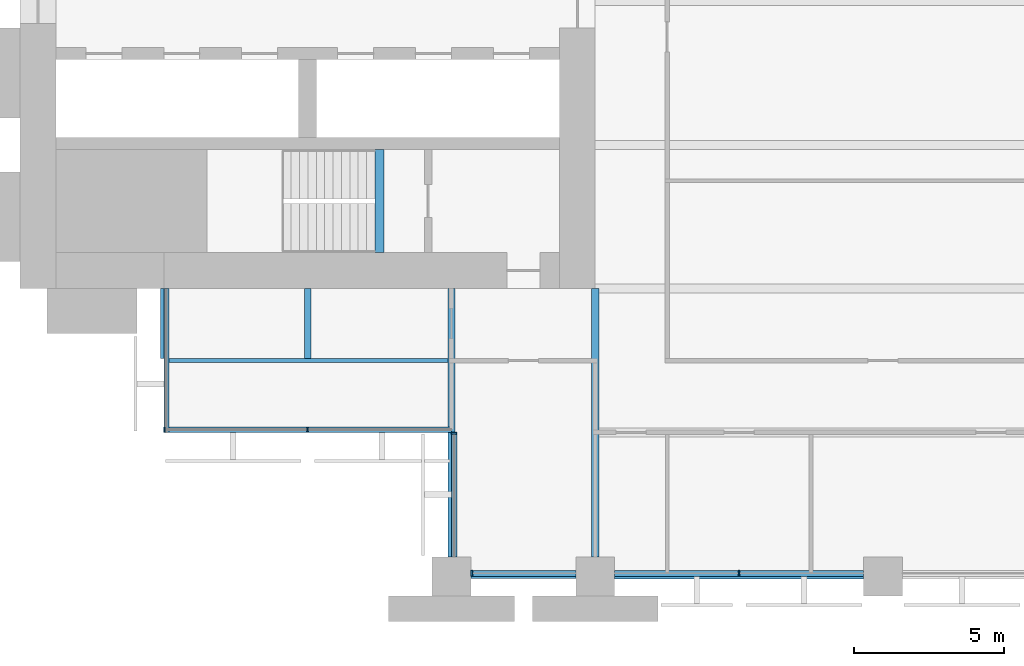
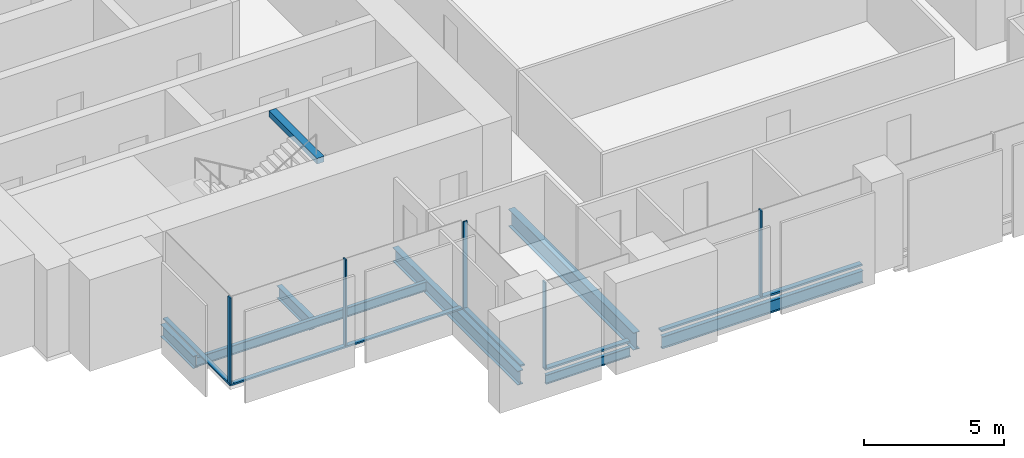
# One storey, part 2 of 14: 10 members, 8 beams, 4 elements without a shape of their own.
"""IFC4 building model written with IfcOpenShell, lengths in metres."""

from ifc_helpers import new_model, si_unit, direction, frame, origin, origin_2d, place, context, subcontext, project, spatial, rectangle, i_section, extrude, material, material_profile, profile_set, type_object, element, aggregate, save


model = new_model("IFC4")

# Units and contexts
model_context = context("Model", 3, precision=1e-05, world=origin(), true_north=direction((0.0, 1.0)))
body_context = subcontext(model_context, "Body", "Model", "MODEL_VIEW")
ifc_project = project(units=[si_unit("LENGTHUNIT", "METRE"), si_unit("AREAUNIT", "SQUARE_METRE"), si_unit("VOLUMEUNIT", "CUBIC_METRE"), si_unit("PLANEANGLEUNIT", "RADIAN"), si_unit("MASSUNIT", "GRAM", prefix="KILO")], contexts=[model_context])

# Site, building, storey
site_placement = place(None, origin())
site = spatial("IfcSite", under=ifc_project, at=site_placement, CompositionType="ELEMENT")
building_placement = place(site_placement, origin())
building = spatial("IfcBuilding", under=site, at=building_placement, Name="Baori Bourse Tower", CompositionType="ELEMENT")
storey_placement = place(building_placement, frame((0.0, 0.0, 67.0)))
storey = spatial("IfcBuildingStorey", under=building, at=storey_placement, Name="L14", CompositionType="ELEMENT", Elevation=67.0)

# Curtain wall, members
ifc_material_1 = material(Name="Pale anodised aluminium", Category="aluminium")
curtain_wall_type_1 = type_object("IfcCurtainWallType", Name="CW1 Curtain wall", PredefinedType="NOTDEFINED", material=ifc_material_1)
curtain_wall_1_placement = place(storey_placement, origin())
curtain_wall_1 = element("IfcCurtainWall", 1, at=curtain_wall_1_placement, inside=storey, type_object=curtain_wall_type_1, Name="Curtain wall CW1 L14 11", PredefinedType="NOTDEFINED")
ifc_material_2 = material(Name="Pale anodised aluminium", Category="aluminium")
ifc_material_profile_1 = material_profile(ifc_material_2, rectangle(XDim=0.199951171875, YDim=0.06005859375, at=origin_2d()), Name="Mullion 60x200")
ifc_profile_set_1 = profile_set([ifc_material_profile_1], Name="Pale anodised aluminium")
member_type_1 = type_object("IfcMemberType", Name="CW1 Curtain wall mullion", PredefinedType="MULLION", material=ifc_profile_set_1)
member_1_placement = place(storey_placement, frame((15.080078125, 0.10009765625, 0.080078125), z_axis=(0.0, 0.0, 1.0), x_axis=(0.0, 1.0, 0.0)))
member_1 = element("IfcMember", 2, at=member_1_placement, type_object=member_type_1, Name="Curtain wall CW1 mullion", PredefinedType="MULLION", context=body_context, shape_type="SweptSolid", body=[
    extrude(rectangle(XDim=0.199951171875, YDim=0.06005859375, at=origin_2d()), origin(), (0.0, 0.0, 1.0), 3.760009765625),
])
member_2_placement = place(storey_placement, frame((24.0, 0.10009765625, 0.080078125), z_axis=(0.0, 0.0, 1.0), x_axis=(0.0, 1.0, 0.0)))
member_2 = element("IfcMember", 3, at=member_2_placement, type_object=member_type_1, Name="Curtain wall CW1 mullion", PredefinedType="MULLION", context=body_context, shape_type="SweptSolid", body=[
    extrude(rectangle(XDim=0.199951171875, YDim=0.06005859375, at=origin_2d()), origin(), (0.0, 0.0, 1.0), 3.760009765625),
])
ifc_material_3 = material(Name="Pale anodised aluminium", Category="aluminium")
ifc_material_profile_2 = material_profile(ifc_material_3, rectangle(XDim=0.199951171875, YDim=0.080078125, at=origin_2d()), Name="Transom 80x200")
ifc_profile_set_2 = profile_set([ifc_material_profile_2], Name="Pale anodised aluminium")
member_type_2 = type_object("IfcMemberType", Name="CW1 Curtain wall transom", PredefinedType="USERDEFINED", material=ifc_profile_set_2)
member_3_placement = place(storey_placement, frame((15.050048828125, 0.10009765625, 0.0400390625), z_axis=(1.0, 0.0, 0.0), x_axis=(0.0, 1.0, 0.0)))
member_3 = element("IfcMember", 4, at=member_3_placement, type_object=member_type_2, Name="Curtain wall CW1 sill rail", ObjectType="TRANSOM", PredefinedType="USERDEFINED", context=body_context, shape_type="SweptSolid", body=[
    extrude(rectangle(XDim=0.199951171875, YDim=0.080078125, at=origin_2d()), origin(), (0.0, 0.0, 1.0), 3.5),
])
member_4_placement = place(storey_placement, frame((19.85009765625, 0.10009765625, 0.0400390625), z_axis=(1.0, 0.0, 0.0), x_axis=(0.0, 1.0, 0.0)))
member_4 = element("IfcMember", 5, at=member_4_placement, type_object=member_type_2, Name="Curtain wall CW1 sill rail", ObjectType="TRANSOM", PredefinedType="USERDEFINED", context=body_context, shape_type="SweptSolid", body=[
    extrude(rectangle(XDim=0.199951171875, YDim=0.080078125, at=origin_2d()), origin(), (0.0, 0.0, 1.0), 8.2998046875),
])
aggregate(curtain_wall_1, [member_3, member_1, member_4, member_2])

ifc_material_4 = material(Name="Pale anodised aluminium", Category="aluminium")
curtain_wall_type_2 = type_object("IfcCurtainWallType", Name="CW2 Curtain wall", PredefinedType="NOTDEFINED", material=ifc_material_4)
curtain_wall_2_placement = place(storey_placement, origin())
curtain_wall_2 = element("IfcCurtainWall", 6, at=curtain_wall_2_placement, inside=storey, type_object=curtain_wall_type_2, Name="Curtain wall CW2 L14 9", PredefinedType="NOTDEFINED")
ifc_material_5 = material(Name="Pale anodised aluminium", Category="aluminium")
ifc_material_profile_3 = material_profile(ifc_material_5, rectangle(XDim=0.179931640625, YDim=0.054931640625, at=origin_2d()), Name="Mullion 55x180")
ifc_profile_set_3 = profile_set([ifc_material_profile_3], Name="Pale anodised aluminium")
member_type_3 = type_object("IfcMemberType", Name="CW2 Curtain wall mullion", PredefinedType="MULLION", material=ifc_profile_set_3)
member_5_placement = place(storey_placement, frame((4.827392578125, 4.889892578125, 0.070068359375), z_axis=(0.0, 0.0, 1.0), x_axis=(0.0, 1.0, 0.0)))
member_5 = element("IfcMember", 7, at=member_5_placement, type_object=member_type_3, Name="Curtain wall CW2 mullion", PredefinedType="MULLION", context=body_context, shape_type="SweptSolid", body=[
    extrude(rectangle(XDim=0.179931640625, YDim=0.054931640625, at=origin_2d()), origin(), (0.0, 0.0, 1.0), 3.77001953125),
])
member_6_placement = place(storey_placement, frame((9.60009765625, 4.889892578125, 0.070068359375), z_axis=(0.0, 0.0, 1.0), x_axis=(0.0, 1.0, 0.0)))
member_6 = element("IfcMember", 8, at=member_6_placement, type_object=member_type_3, Name="Curtain wall CW2 mullion", PredefinedType="MULLION", context=body_context, shape_type="SweptSolid", body=[
    extrude(rectangle(XDim=0.179931640625, YDim=0.054931640625, at=origin_2d()), origin(), (0.0, 0.0, 1.0), 3.77001953125),
])

# Curtain wall, member
curtain_wall_3_placement = place(storey_placement, origin())
curtain_wall_3 = element("IfcCurtainWall", 9, at=curtain_wall_3_placement, inside=storey, type_object=curtain_wall_type_2, Name="Curtain wall CW2 L14 10", PredefinedType="NOTDEFINED")
member_7_placement = place(storey_placement, frame((14.489990234375, 4.7724609375, 0.070068359375), z_axis=(0.0, 0.0, 1.0), x_axis=(1.0, 0.0, 0.0)))
member_7 = element("IfcMember", 10, at=member_7_placement, type_object=member_type_3, Name="Curtain wall CW2 mullion", PredefinedType="MULLION", context=body_context, shape_type="SweptSolid", body=[
    extrude(rectangle(XDim=0.179931640625, YDim=0.054931640625, at=origin_2d()), origin(), (0.0, 0.0, 1.0), 3.77001953125),
])

curtain_wall_4_placement = place(storey_placement, origin())
curtain_wall_4 = element("IfcCurtainWall", 11, at=curtain_wall_4_placement, inside=storey, type_object=curtain_wall_type_2, Name="Curtain wall CW2 L14 8", PredefinedType="NOTDEFINED")
ifc_material_6 = material(Name="Pale anodised aluminium", Category="aluminium")
ifc_material_profile_4 = material_profile(ifc_material_6, rectangle(XDim=0.179931640625, YDim=0.070068359375, at=origin_2d()), Name="Transom 70x180")
ifc_profile_set_4 = profile_set([ifc_material_profile_4], Name="Pale anodised aluminium")
member_type_4 = type_object("IfcMemberType", Name="CW2 Curtain wall transom", PredefinedType="USERDEFINED", material=ifc_profile_set_4)
member_8_placement = place(storey_placement, frame((4.889892578125, 9.60009765625, 0.034912109375), z_axis=(0.0, -1.0, 0.0), x_axis=(1.0, 0.0, 0.0)))
member_8 = element("IfcMember", 12, at=member_8_placement, type_object=member_type_4, Name="Curtain wall CW2 sill rail", ObjectType="TRANSOM", PredefinedType="USERDEFINED", context=body_context, shape_type="SweptSolid", body=[
    extrude(rectangle(XDim=0.179931640625, YDim=0.070068359375, at=origin_2d()), origin(), (0.0, 0.0, 1.0), 4.800048828125),
])
aggregate(curtain_wall_4, [member_8])

# Member
member_9_placement = place(storey_placement, frame((4.800048828125, 4.889892578125, 0.034912109375), z_axis=(1.0, 0.0, 0.0), x_axis=(0.0, 1.0, 0.0)))
member_9 = element("IfcMember", 13, at=member_9_placement, type_object=member_type_4, Name="Curtain wall CW2 sill rail", ObjectType="TRANSOM", PredefinedType="USERDEFINED", context=body_context, shape_type="SweptSolid", body=[
    extrude(rectangle(XDim=0.179931640625, YDim=0.070068359375, at=origin_2d()), origin(), (0.0, 0.0, 1.0), 9.599853515625),
])

aggregate(curtain_wall_2, [member_9, member_5, member_6])

member_10_placement = place(storey_placement, frame((14.489990234375, 4.800048828125, 0.034912109375), z_axis=(0.0, -1.0, 0.0), x_axis=(1.0, 0.0, 0.0)))
member_10 = element("IfcMember", 14, at=member_10_placement, type_object=member_type_4, Name="Curtain wall CW2 sill rail", ObjectType="TRANSOM", PredefinedType="USERDEFINED", context=body_context, shape_type="SweptSolid", body=[
    extrude(rectangle(XDim=0.179931640625, YDim=0.070068359375, at=origin_2d()), origin(), (0.0, 0.0, 1.0), 4.150146484375),
])

aggregate(curtain_wall_3, [member_10, member_7])

# Beams
ifc_material_7 = material(Name="Steel A992 Gr 50", Category="steel")
ifc_material_profile_5 = material_profile(ifc_material_7, i_section(OverallWidth=0.21240234375, OverallDepth=0.54345703125, WebThickness=0.01318359375, FlangeThickness=0.021240234375, at=origin_2d()), Name="W21x83")
ifc_profile_set_5 = profile_set([ifc_material_profile_5], Name="Steel A992 Gr 50")
beam_type_1 = type_object("IfcBeamType", Name="Core bracket W21x83", PredefinedType="BEAM", material=ifc_profile_set_5)
for number, where, z_axis, x_axis, name in (
    (15, (4.800048828125, 7.270263671875, -0.431884765625), (0.0, 1.0, 0.0), (-1.0, 0.0, 0.0), "Core bracket L14"),
    (16, (9.60009765625, 7.270263671875, -0.431884765625), (0.0, 1.0, 0.0), (-1.0, 0.0, 0.0), "Core bracket L14"),
):
    element("IfcBeam", number, at=place(storey_placement, frame(where, z_axis=z_axis, x_axis=x_axis)), inside=storey, type_object=beam_type_1, Name=name, PredefinedType="BEAM", context=body_context, shape_type="SweptSolid", body=[
        extrude(i_section(OverallWidth=0.21240234375, OverallDepth=0.54345703125, WebThickness=0.01318359375, FlangeThickness=0.021240234375, at=origin_2d()), origin(), (0.0, 0.0, 1.0), 2.329833984375),
    ])
ifc_material_8 = material(Name="Steel A992 Gr 50", Category="steel")
ifc_material_profile_6 = material_profile(ifc_material_8, i_section(OverallWidth=0.140380859375, OverallDepth=0.40380859375, WebThickness=0.007080078125, FlangeThickness=0.01123046875, at=origin_2d()), Name="W16x31")
ifc_profile_set_6 = profile_set([ifc_material_profile_6], Name="Steel A992 Gr 50")
beam_type_2 = type_object("IfcBeamType", Name="Edge beam W16x31", PredefinedType="BEAM", material=ifc_profile_set_6)
beam_1_placement = place(storey_placement, frame((15.050048828125, 0.0, -0.36181640625), z_axis=(1.0, 0.0, 0.0), x_axis=(0.0, 1.0, 0.0)))
element("IfcBeam", 17, at=beam_1_placement, inside=storey, type_object=beam_type_2, Name="Edge beam L14", PredefinedType="BEAM", context=body_context, shape_type="SweptSolid", body=[
    extrude(i_section(OverallWidth=0.140380859375, OverallDepth=0.40380859375, WebThickness=0.007080078125, FlangeThickness=0.01123046875, at=origin_2d()), origin(), (0.0, 0.0, 1.0), 3.5),
])
ifc_material_9 = material(Name="Steel A992 Gr 50", Category="steel")
ifc_material_profile_7 = material_profile(ifc_material_9, i_section(OverallWidth=0.1650390625, OverallDepth=0.52587890625, WebThickness=0.0087890625, FlangeThickness=0.011474609375, at=origin_2d()), Name="W21x44")
ifc_profile_set_7 = profile_set([ifc_material_profile_7], Name="Steel A992 Gr 50")
beam_type_3 = type_object("IfcBeamType", Name="Edge beam W21x44", PredefinedType="BEAM", material=ifc_profile_set_7)
beam_2_placement = place(storey_placement, frame((19.85009765625, 0.0, -0.4228515625), z_axis=(1.0, 0.0, 0.0), x_axis=(0.0, 1.0, 0.0)))
element("IfcBeam", 18, at=beam_2_placement, inside=storey, type_object=beam_type_3, Name="Edge beam L14", PredefinedType="BEAM", context=body_context, shape_type="SweptSolid", body=[
    extrude(i_section(OverallWidth=0.1650390625, OverallDepth=0.52587890625, WebThickness=0.0087890625, FlangeThickness=0.011474609375, at=origin_2d()), origin(), (0.0, 0.0, 1.0), 8.2998046875),
])
ifc_material_10 = material(Name="Steel A992 Gr 50", Category="steel")
ifc_material_profile_8 = material_profile(ifc_material_10, i_section(OverallWidth=0.22900390625, OverallDepth=0.612060546875, WebThickness=0.011962890625, FlangeThickness=0.01953125, at=origin_2d()), Name="W24x84")
ifc_profile_set_8 = profile_set([ifc_material_profile_8], Name="Steel A992 Gr 50")
beam_type_4 = type_object("IfcBeamType", Name="Floor beam W24x84", PredefinedType="BEAM", material=ifc_profile_set_8)
beam_3_placement = place(storey_placement, frame((14.39990234375, 0.64990234375, -0.466064453125), z_axis=(0.0, 1.0, 0.0), x_axis=(-1.0, 0.0, 0.0)))
element("IfcBeam", 19, at=beam_3_placement, inside=storey, type_object=beam_type_4, Name="Floor beam L14", PredefinedType="BEAM", context=body_context, shape_type="SweptSolid", body=[
    extrude(i_section(OverallWidth=0.22900390625, OverallDepth=0.612060546875, WebThickness=0.011962890625, FlangeThickness=0.01953125, at=origin_2d()), origin(), (0.0, 0.0, 1.0), 8.9501953125),
])
ifc_material_11 = material(Name="Steel A992 Gr 50", Category="steel")
ifc_material_profile_9 = material_profile(ifc_material_11, i_section(OverallWidth=0.2666015625, OverallDepth=0.7568359375, WebThickness=0.013916015625, FlangeThickness=0.019287109375, at=origin_2d()), Name="W30x108")
ifc_profile_set_9 = profile_set([ifc_material_profile_9], Name="Steel A992 Gr 50")
beam_type_5 = type_object("IfcBeamType", Name="Girder W30x108", PredefinedType="BEAM", material=ifc_profile_set_9)
beam_4_placement = place(storey_placement, frame((19.199951171875, 0.64990234375, -0.53857421875), z_axis=(0.0, 1.0, 0.0), x_axis=(-1.0, 0.0, 0.0)))
element("IfcBeam", 20, at=beam_4_placement, inside=storey, type_object=beam_type_5, Name="Girder L14", PredefinedType="BEAM", context=body_context, shape_type="SweptSolid", body=[
    extrude(i_section(OverallWidth=0.2666015625, OverallDepth=0.7568359375, WebThickness=0.013916015625, FlangeThickness=0.019287109375, at=origin_2d()), origin(), (0.0, 0.0, 1.0), 8.9501953125),
])
ifc_material_12 = material(Name="Concrete f'c 50 MPa", Category="concrete")
ifc_material_profile_10 = material_profile(ifc_material_12, rectangle(XDim=0.300048828125, YDim=0.25, at=origin_2d()), Name="RC 300x250")
ifc_profile_set_10 = profile_set([ifc_material_profile_10], Name="Concrete f'c 50 MPa")
beam_type_6 = type_object("IfcBeamType", Name="Stair nib beam RC 300x250", PredefinedType="BEAM", material=ifc_profile_set_10)
beam_5_placement = place(storey_placement, frame((12.0, 10.800048828125, 3.715087890625), z_axis=(0.0, 1.0, 0.0), x_axis=(-1.0, 0.0, 0.0)))
element("IfcBeam", 21, at=beam_5_placement, inside=storey, type_object=beam_type_6, Name="Stair WA nib beam L15", PredefinedType="BEAM", context=body_context, shape_type="SweptSolid", body=[
    extrude(rectangle(XDim=0.300048828125, YDim=0.25, at=origin_2d()), origin(), (0.0, 0.0, 1.0), 3.449951171875),
])
ifc_material_13 = material(Name="Steel A992 Gr 50", Category="steel")
ifc_material_profile_11 = material_profile(ifc_material_13, i_section(OverallWidth=0.140380859375, OverallDepth=0.40380859375, WebThickness=0.007080078125, FlangeThickness=0.01123046875, at=origin_2d()), Name="W16x31")
ifc_profile_set_11 = profile_set([ifc_material_profile_11], Name="Steel A992 Gr 50")
beam_type_7 = type_object("IfcBeamType", Name="Trimmer beam W16x31", PredefinedType="BEAM", material=ifc_profile_set_11)
beam_6_placement = place(storey_placement, frame((4.800048828125, 7.199951171875, -0.36181640625), z_axis=(1.0, 0.0, 0.0), x_axis=(0.0, 1.0, 0.0)))
element("IfcBeam", 22, at=beam_6_placement, inside=storey, type_object=beam_type_7, Name="Trimmer beam L14", PredefinedType="BEAM", context=body_context, shape_type="SweptSolid", body=[
    extrude(i_section(OverallWidth=0.140380859375, OverallDepth=0.40380859375, WebThickness=0.007080078125, FlangeThickness=0.01123046875, at=origin_2d()), origin(), (0.0, 0.0, 1.0), 9.4853515625),
])

save(model, "model.ifc")
